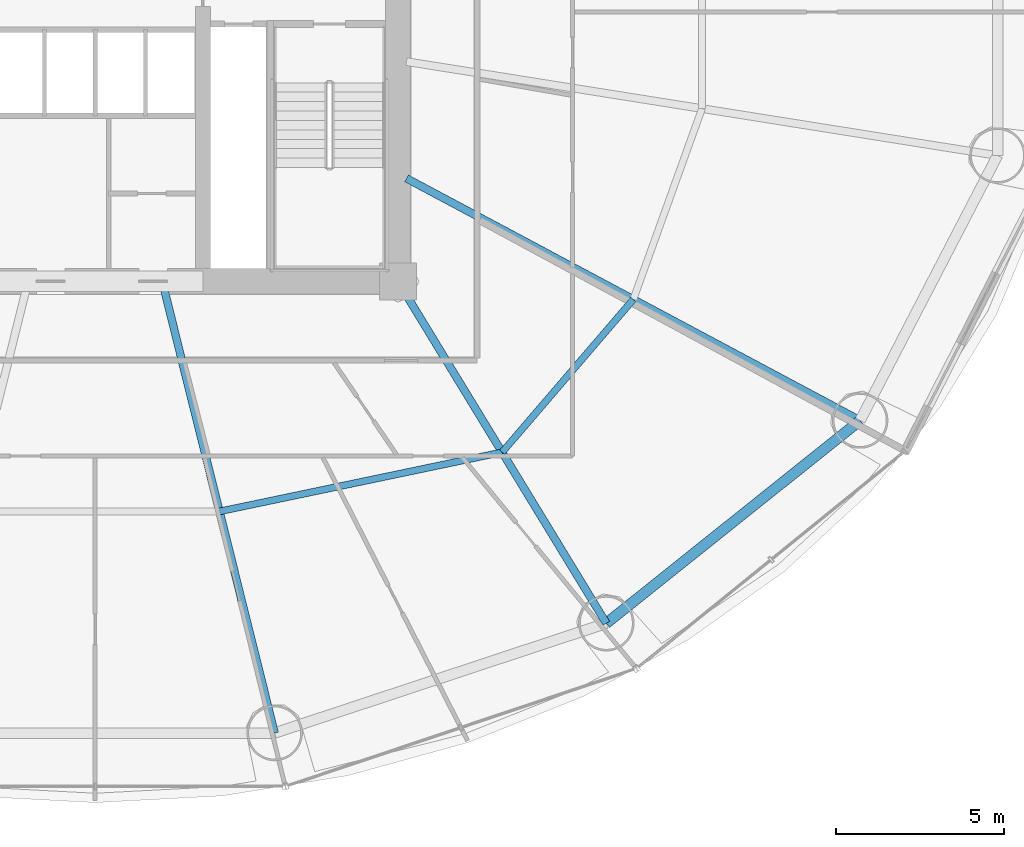
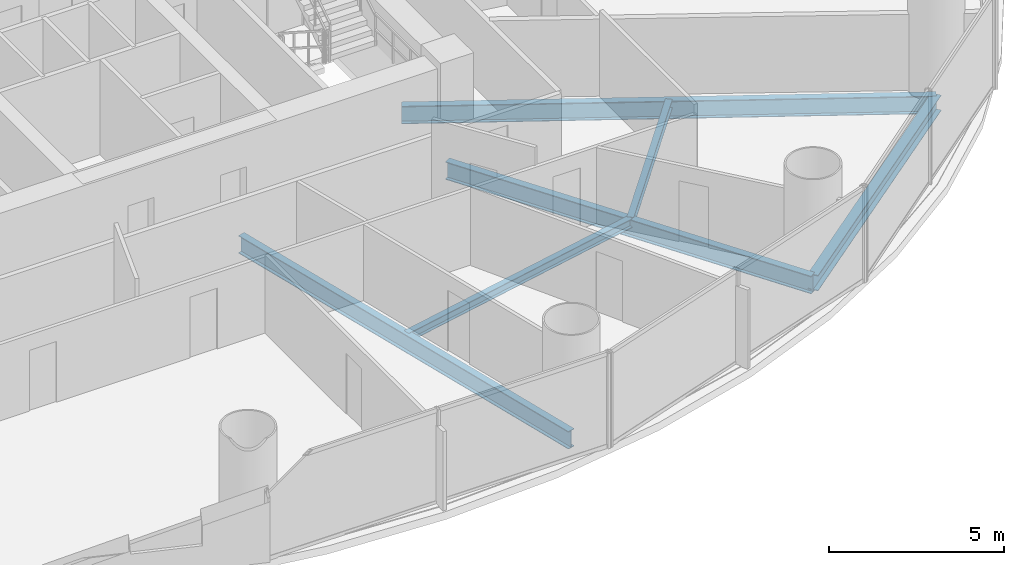
# One storey, part 11 of 29: 6 beams.
"""IFC4 building model written with IfcOpenShell, lengths in metres."""

from ifc_helpers import new_model, si_unit, direction, frame, origin, origin_2d, place, context, subcontext, project, spatial, i_section, extrude, material, material_profile, profile_set, type_object, element, save


model = new_model("IFC4")

# Units and contexts
model_context = context("Model", 3, precision=1e-05, world=origin(), true_north=direction((-0.2419218956, 0.970295726276)))
body_context = subcontext(model_context, "Body", "Model", "MODEL_VIEW")
ifc_project = project(units=[si_unit("LENGTHUNIT", "METRE"), si_unit("AREAUNIT", "SQUARE_METRE"), si_unit("VOLUMEUNIT", "CUBIC_METRE"), si_unit("PLANEANGLEUNIT", "RADIAN"), si_unit("MASSUNIT", "GRAM", prefix="KILO")], contexts=[model_context])

# Site, building, storey
site_placement = place(None, origin())
site = spatial("IfcSite", under=ifc_project, at=site_placement, CompositionType="ELEMENT")
building_placement = place(site_placement, origin())
building = spatial("IfcBuilding", under=site, at=building_placement, Name="Cobrevalo Terracotta Tower", CompositionType="ELEMENT")
storey_placement = place(building_placement, frame((0.0, 0.0, 49.199951171875)))
storey = spatial("IfcBuildingStorey", under=building, at=storey_placement, Name="L12", CompositionType="ELEMENT", Elevation=49.199951171875)

# Beams
ifc_material = material(Name="Steel S355", Category="steel")
ifc_material_profile_1 = material_profile(ifc_material, i_section(OverallWidth=0.22998046875, OverallDepth=0.616943359375, WebThickness=0.01318359375, FlangeThickness=0.022216796875, at=origin_2d()), Name="W 610x140")
ifc_profile_set_1 = profile_set([ifc_material_profile_1], Name="Steel S355")
beam_type_1 = type_object("IfcBeamType", Name="Structural Beam W 610x140 (Steel S355)", PredefinedType="BEAM", material=ifc_profile_set_1)
beam_1_placement = place(storey_placement, frame((43.335693359375, 5.369873046875, -0.58837890625), z_axis=(-0.241600470374, 0.970375810042, 0.0), x_axis=(-0.970375810042, -0.241600470374, 0.0)))
element("IfcBeam", 1, at=beam_1_placement, inside=storey, type_object=beam_type_1, Name="L12 radial floor girder 13", PredefinedType="BEAM", context=body_context, shape_type="SweptSolid", body=[
    extrude(i_section(OverallWidth=0.22998046875, OverallDepth=0.616943359375, WebThickness=0.01318359375, FlangeThickness=0.022216796875, at=origin_2d()), origin(), (0.0, 0.0, 1.0), 13.5771484375),
])
beam_2_placement = place(storey_placement, frame((53.19482421875, 8.63232421875, -0.58837890625), z_axis=(-0.520300780853, 0.853983077961, 0.0), x_axis=(-0.853983077961, -0.520300780853, 0.0)))
element("IfcBeam", 2, at=beam_2_placement, inside=storey, type_object=beam_type_1, Name="L12 radial floor girder 14", PredefinedType="BEAM", context=body_context, shape_type="SweptSolid", body=[
    extrude(i_section(OverallWidth=0.22998046875, OverallDepth=0.616943359375, WebThickness=0.01318359375, FlangeThickness=0.022216796875, at=origin_2d()), origin(), (0.0, 0.0, 1.0), 11.90625),
])
beam_3_placement = place(storey_placement, frame((60.74072265625, 14.660888671875, -0.58837890625), z_axis=(-0.88218223571, 0.470908168329, 0.0), x_axis=(-0.470908168329, -0.88218223571, 0.0)))
element("IfcBeam", 3, at=beam_3_placement, inside=storey, type_object=beam_type_1, Name="L12 radial floor girder 15", PredefinedType="BEAM", context=body_context, shape_type="SweptSolid", body=[
    extrude(i_section(OverallWidth=0.22998046875, OverallDepth=0.616943359375, WebThickness=0.01318359375, FlangeThickness=0.022216796875, at=origin_2d()), origin(), (0.0, 0.0, 1.0), 15.286865234375),
])
ifc_material_profile_2 = material_profile(ifc_material, i_section(OverallWidth=0.2041015625, OverallDepth=0.305908203125, WebThickness=0.008544921875, FlangeThickness=0.0146484375, at=origin_2d()), Name="W 310x67")
ifc_profile_set_2 = profile_set([ifc_material_profile_2], Name="Steel S355")
beam_type_2 = type_object("IfcBeamType", Name="Structural Joist W 310x67 (Steel S355)", PredefinedType="JOIST", material=ifc_profile_set_2)
beam_4_placement = place(storey_placement, frame((41.695556640625, 11.95751953125, -0.432861328125), z_axis=(0.978784523904, 0.204892302848, 0.0), x_axis=(-0.204892302848, 0.978784523904, 0.0)))
element("IfcBeam", 4, at=beam_4_placement, inside=storey, type_object=beam_type_2, Name="L12 circumferential secondary floor joist 13", PredefinedType="JOIST", context=body_context, shape_type="SweptSolid", body=[
    extrude(i_section(OverallWidth=0.2041015625, OverallDepth=0.305908203125, WebThickness=0.008544921875, FlangeThickness=0.0146484375, at=origin_2d()), origin(), (0.0, 0.0, 1.0), 8.583984375),
])
beam_5_placement = place(storey_placement, frame((50.097412109375, 13.71630859375, -0.432861328125), z_axis=(0.651328404454, 0.758795960421, 0.0), x_axis=(-0.758795960421, 0.651328404454, 0.0)))
element("IfcBeam", 5, at=beam_5_placement, inside=storey, type_object=beam_type_2, Name="L12 circumferential secondary floor joist 14", PredefinedType="JOIST", context=body_context, shape_type="SweptSolid", body=[
    extrude(i_section(OverallWidth=0.2041015625, OverallDepth=0.305908203125, WebThickness=0.008544921875, FlangeThickness=0.0146484375, at=origin_2d()), origin(), (0.0, 0.0, 1.0), 5.98828125),
])
ifc_material_profile_3 = material_profile(ifc_material, i_section(OverallWidth=0.31201171875, OverallDepth=0.54296875, WebThickness=0.0126953125, FlangeThickness=0.020263671875, at=origin_2d()), Name="W 530x150")
ifc_profile_set_3 = profile_set([ifc_material_profile_3], Name="Steel S355")
beam_type_3 = type_object("IfcBeamType", Name="Structural Spandrel W 530x150 (Steel S355)", PredefinedType="SPANDREL", material=ifc_profile_set_3)
beam_6_placement = place(storey_placement, frame((53.19482421875, 8.63232421875, -0.551513671875), z_axis=(0.781280479891, 0.62418011162, 0.0), x_axis=(-0.62418011162, 0.781280479891, 0.0)))
element("IfcBeam", 6, at=beam_6_placement, inside=storey, type_object=beam_type_3, Name="L12 perimeter ring spandrel 14", PredefinedType="SPANDREL", context=body_context, shape_type="SweptSolid", body=[
    extrude(i_section(OverallWidth=0.31201171875, OverallDepth=0.54296875, WebThickness=0.0126953125, FlangeThickness=0.020263671875, at=origin_2d()), origin(), (0.0, 0.0, 1.0), 9.658447265625),
])

save(model, "model.ifc")
